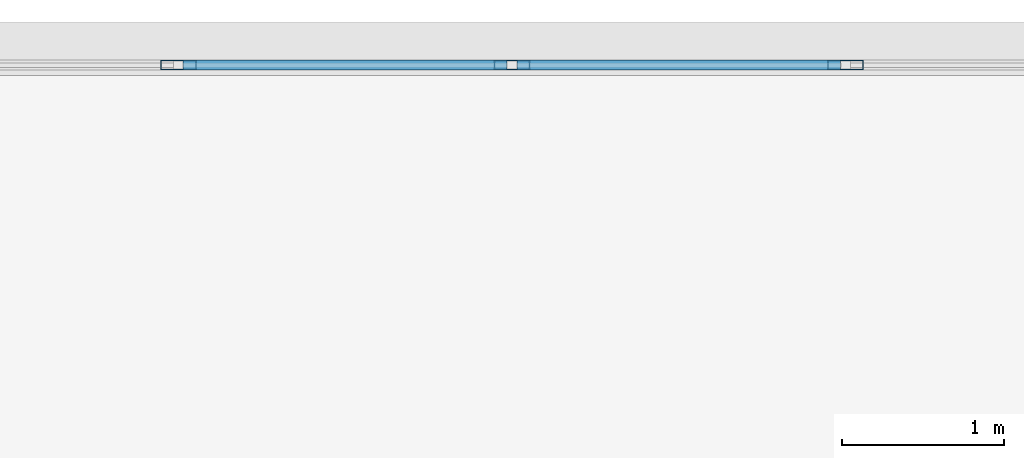
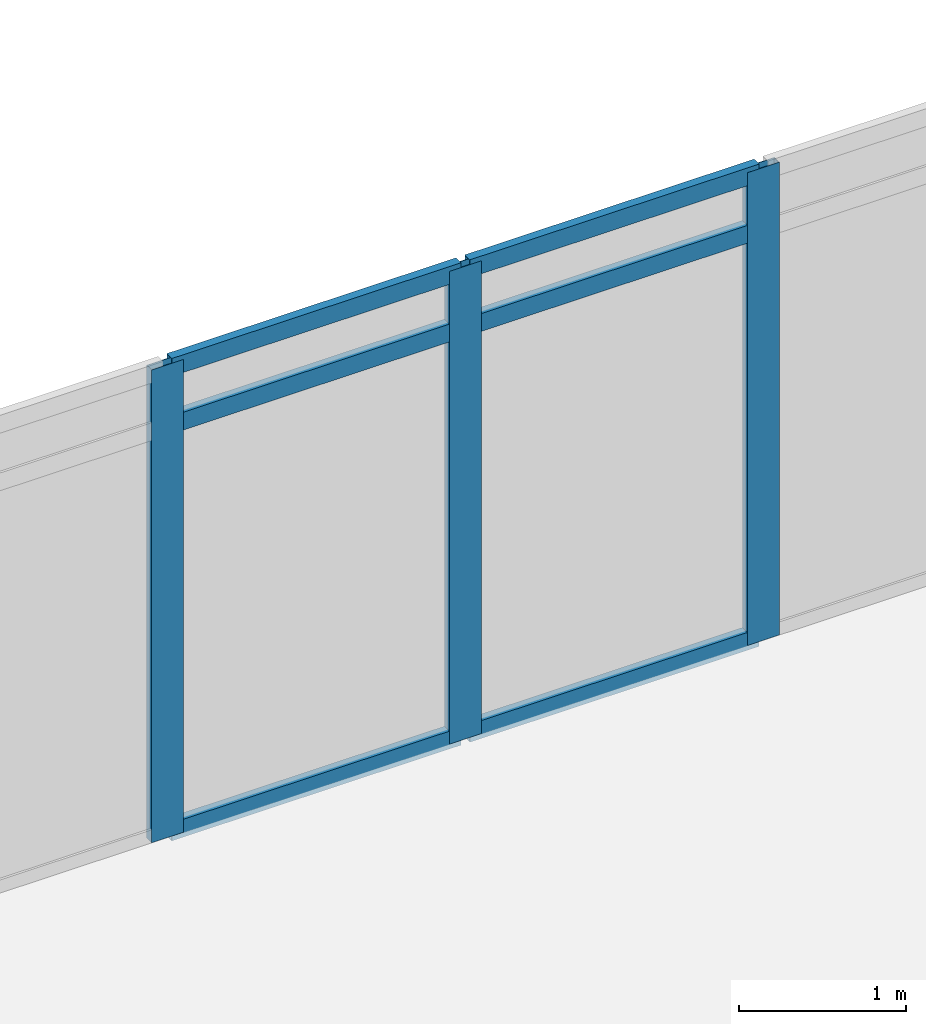
# One storey, part 18 of 36: 9 members, 1 element without a shape of its own.
"""IFC4 building model written with IfcOpenShell, lengths in metres."""

import ifcopenshell
import ifcopenshell.guid

model = None  # the IFC model being written
_history = None  # IfcOwnerHistory: only IFC2X3 demands one
_inside = {}  # id of a spatial element -> (the spatial element, [elements in it])
_under = {}  # id of a project, library or spatial element -> (it, [spatial elements below it])
_declared = {}  # id of a project -> (the project, [libraries it declares])
_typed = {}  # id of a type object -> (the type object, [elements of that type])
_made_of = {}  # id of a material, layer set ... -> (it, [elements and type objects made of it])


def new_model(schema):
    """Start an empty IFC model of exactly this schema.

    Asked for "IFC4X3", IfcOpenShell would pick the latest addendum, in which some entities
    have other attributes; the version numbers below select the first issue.
    IFC2X3 requires an IfcOwnerHistory on every rooted entity: one is made here for all.
    """
    global model, _history
    if schema == "IFC4X3":
        model = ifcopenshell.file(schema_version=(4, 3, 0, 0))
    else:
        model = ifcopenshell.file(schema=schema)
    _inside.clear()
    _under.clear()
    _declared.clear()
    _typed.clear()
    _made_of.clear()
    _history = None
    if model.schema == "IFC2X3":
        org = make("IfcOrganization", Name="unknown")
        user = make(
            "IfcPersonAndOrganization",
            ThePerson=make("IfcPerson", FamilyName="unknown"),
            TheOrganization=org,
        )
        app = make(
            "IfcApplication",
            ApplicationDeveloper=org,
            Version="unknown",
            ApplicationFullName="unknown",
            ApplicationIdentifier="unknown",
        )
        _history = make(
            "IfcOwnerHistory",
            OwningUser=user,
            OwningApplication=app,
            ChangeAction="ADDED",
            CreationDate=0,
        )
    return model


def make(cls, **values):
    """One entity of the class cls with the attributes given. An attribute that is None is left unset."""
    return model.create_entity(
        cls, **{name: value for name, value in values.items() if value is not None}
    )


def rooted(cls, **values):
    """An entity with a GlobalId (a new one), such as an element, a storey or a relation."""
    return make(cls, GlobalId=ifcopenshell.guid.new(), OwnerHistory=_history, **values)


def si_unit(unit_type, name, prefix=None):
    """IfcSIUnit, for example si_unit("LENGTHUNIT", "METRE", prefix="MILLI")."""
    return make("IfcSIUnit", UnitType=unit_type, Prefix=prefix, Name=name)


def assignment(units):
    """IfcUnitAssignment: the units of a project."""
    return None if units is None else make("IfcUnitAssignment", Units=units)


def point(xyz):
    """IfcCartesianPoint."""
    return None if xyz is None else make("IfcCartesianPoint", Coordinates=xyz)


def direction(xyz):
    """IfcDirection."""
    return None if xyz is None else make("IfcDirection", DirectionRatios=xyz)


def frame(location, z_axis=None, x_axis=None):
    """IfcAxis2Placement3D, a coordinate frame: its origin and axes. An axis left out is left unset."""
    return make(
        "IfcAxis2Placement3D",
        Location=point(location),
        Axis=direction(z_axis),
        RefDirection=direction(x_axis),
    )


def frame_2d(location, x_axis=None):
    """IfcAxis2Placement2D, a coordinate frame in the plane: its origin and x axis."""
    return make(
        "IfcAxis2Placement2D", Location=point(location), RefDirection=direction(x_axis)
    )


def origin():
    """The frame at (0, 0, 0) with its axes left unset."""
    return frame((0.0, 0.0, 0.0))


def origin_2d():
    """The frame at (0, 0) in the plane with its x axis left unset."""
    return frame_2d((0.0, 0.0))


def place(relative_to, where):
    """IfcLocalPlacement: puts the frame where relative to a parent placement (None: the world)."""
    return make(
        "IfcLocalPlacement", PlacementRelTo=relative_to, RelativePlacement=where
    )


def context(
    kind, dimensions, precision=None, world=None, true_north=None, identifier=None
):
    """IfcGeometricRepresentationContext, for example the 3D "Model" context."""
    return make(
        "IfcGeometricRepresentationContext",
        ContextIdentifier=identifier,
        ContextType=kind,
        CoordinateSpaceDimension=dimensions,
        Precision=precision,
        WorldCoordinateSystem=world,
        TrueNorth=true_north,
    )


def subcontext(parent, identifier, kind, view, scale=None):
    """IfcGeometricRepresentationSubContext, for example "Body" below "Model"."""
    return make(
        "IfcGeometricRepresentationSubContext",
        ContextIdentifier=identifier,
        ContextType=kind,
        ParentContext=parent,
        TargetScale=scale,
        TargetView=view,
    )


def project(units=None, contexts=None):
    """IfcProject with its units and contexts."""
    return rooted(
        "IfcProject",
        Name="project",
        RepresentationContexts=contexts,
        UnitsInContext=assignment(units),
    )


def spatial(cls, under=None, at=None, **own):
    """A site, building, storey or space (cls), placed at a placement, below another one or the project."""
    s = rooted(cls, ObjectPlacement=at, **own)
    if under is not None:
        _under.setdefault(under.id(), (under, []))[1].append(s)
    return s


def profile(cls, at=None, kind="AREA", **sizes):
    """A parametric profile (cls). Its sizes go by their IFC names, for example OverallWidth=200.0."""
    return make(cls, ProfileType=kind, Position=at, **sizes)


def hollow_rectangle(**sizes):
    """IfcRectangleHollowProfileDef."""
    return profile("IfcRectangleHollowProfileDef", **sizes)


def extrude(swept, where, along, depth):
    """IfcExtrudedAreaSolid: the profile swept, set in the frame where, extruded along a direction by depth."""
    return make(
        "IfcExtrudedAreaSolid",
        SweptArea=swept,
        Position=where,
        ExtrudedDirection=direction(along),
        Depth=depth,
    )


def shape(context_of_items, identifier, shape_type, items):
    """IfcShapeRepresentation: the items that make up one representation, for example the "Body"."""
    return make(
        "IfcShapeRepresentation",
        ContextOfItems=context_of_items,
        RepresentationIdentifier=identifier,
        RepresentationType=shape_type,
        Items=items,
    )


def material(Name=None, Category=None):
    """IfcMaterial."""
    return make("IfcMaterial", Name=Name, Category=Category)


def material_profile(
    of_material, cross_section, Name=None, Category=None, Priority=None
):
    """IfcMaterialProfile: a cross section and its material."""
    return make(
        "IfcMaterialProfile",
        Name=Name,
        Material=of_material,
        Profile=cross_section,
        Priority=Priority,
        Category=Category,
    )


def profile_set(profiles, Name=None, composite=None):
    """IfcMaterialProfileSet."""
    return make(
        "IfcMaterialProfileSet",
        Name=Name,
        MaterialProfiles=profiles,
        CompositeProfile=composite,
    )


def made_of(thing, what):
    """Note that an element or type object is made of a material, layer set ...; save() writes the relation."""
    if what is not None:
        _made_of.setdefault(what.id(), (what, []))[1].append(thing)
    return thing


def type_object(cls, material=None, **own):
    """A type object (cls), such as IfcWallType, which elements share."""
    return made_of(rooted(cls, **own), material)


def element(
    cls,
    number,
    at=None,
    inside=None,
    cuts=None,
    type_object=None,
    material=None,
    context=None,
    identifier="Body",
    shape_type=None,
    held_by="IfcProductDefinitionShape",
    body=None,
    shapes=None,
    **own,
):
    """One element of the class cls, such as IfcWall. Its Tag is "e" and its number.

    at: its placement. inside: the storey or other place that contains it. cuts: it is an
    opening in that element (IfcRelVoidsElement). A single representation is given by context,
    identifier, shape_type and body (its items); several are given by shapes. held_by: the class
    of the entity that holds the representations. save() writes the other relations.
    """
    e = rooted(cls, Tag="e%d" % number, ObjectPlacement=at, **own)
    if body is not None:
        shapes = [shape(context, identifier, shape_type, body)]
    if shapes is not None:
        e.Representation = make(held_by, Representations=shapes)
    if inside is not None:
        _inside.setdefault(inside.id(), (inside, []))[1].append(e)
    if cuts is not None:
        rooted(
            "IfcRelVoidsElement", RelatingBuildingElement=cuts, RelatedOpeningElement=e
        )
    if type_object is not None:
        _typed.setdefault(type_object.id(), (type_object, []))[1].append(e)
    return made_of(e, material)


def aggregate(whole, parts):
    """IfcRelAggregates: a whole, such as a stair, and the parts it consists of."""
    return rooted("IfcRelAggregates", RelatingObject=whole, RelatedObjects=parts)


def save(model, path):
    """Write the relations noted so far, then the file.

    IfcRelAggregates (storeys below a building ...), IfcRelContainedInSpatialStructure (elements
    in a storey), IfcRelDefinesByType, IfcRelAssociatesMaterial and IfcRelDeclares: one each for
    every whole, place, type object, material and project.
    """
    for whole, parts in _under.values():
        aggregate(whole, parts)
    for where, things in _inside.values():
        rooted(
            "IfcRelContainedInSpatialStructure",
            RelatedElements=things,
            RelatingStructure=where,
        )
    for kind, things in _typed.values():
        rooted("IfcRelDefinesByType", RelatedObjects=things, RelatingType=kind)
    for what, things in _made_of.values():
        rooted("IfcRelAssociatesMaterial", RelatedObjects=things, RelatingMaterial=what)
    for by, libraries in _declared.values():
        rooted("IfcRelDeclares", RelatingContext=by, RelatedDefinitions=libraries)
    model.write(path)


model = new_model("IFC4")

# Units and contexts
model_context = context("Model", 3, precision=1e-05, world=origin(), true_north=direction((0.0, 1.0)))
body_context = subcontext(model_context, "Body", "Model", "MODEL_VIEW")
ifc_project = project(units=[si_unit("LENGTHUNIT", "METRE"), si_unit("AREAUNIT", "SQUARE_METRE"), si_unit("VOLUMEUNIT", "CUBIC_METRE"), si_unit("PLANEANGLEUNIT", "RADIAN"), si_unit("MASSUNIT", "GRAM", prefix="KILO")], contexts=[model_context])

# Site, building, storey
site_placement = place(None, origin())
site = spatial("IfcSite", under=ifc_project, at=site_placement, CompositionType="ELEMENT")
building_placement = place(site_placement, origin())
building = spatial("IfcBuilding", under=site, at=building_placement, Name="Ostrander Bayou Hotel Tower", CompositionType="ELEMENT")
storey_placement = place(building_placement, frame((0.0, 0.0, 138.5)))
storey = spatial("IfcBuildingStorey", under=building, at=storey_placement, Name="L34", CompositionType="ELEMENT", Elevation=138.5)

# Curtain wall, members
ifc_material_1 = material(Name="Aluminium and clear glass", Category="aluminium")
curtain_wall_type = type_object("IfcCurtainWallType", Name="CW-BAR glazed wall", PredefinedType="NOTDEFINED", material=ifc_material_1)
curtain_wall_placement = place(storey_placement, origin())
curtain_wall = element("IfcCurtainWall", 1, at=curtain_wall_placement, inside=storey, type_object=curtain_wall_type, Name="CW-BAR L34:SB3N:T", PredefinedType="NOTDEFINED")
ifc_material_2 = material(Name="Aluminium", Category="aluminium")
ifc_material_profile_1 = material_profile(ifc_material_2, hollow_rectangle(XDim=0.06005859375, YDim=0.219970703125, WallThickness=0.00390625, at=origin_2d()))
ifc_profile_set_1 = profile_set([ifc_material_profile_1], Name="Aluminium")
member_type_1 = type_object("IfcMemberType", Name="CW-BR mullion 60 x 220 mm", PredefinedType="MULLION", material=ifc_profile_set_1)
member_1_placement = place(storey_placement, frame((-5.14111328125, 29.037109375, 0.0), z_axis=(0.0, 0.0, 1.0), x_axis=(0.0, 1.0, 0.0)))
member_1 = element("IfcMember", 2, at=member_1_placement, type_object=member_type_1, Name="CW-BAR mullion 5", PredefinedType="MULLION", context=body_context, shape_type="SweptSolid", body=[
    extrude(hollow_rectangle(XDim=0.06005859375, YDim=0.219970703125, WallThickness=0.00390625, at=origin_2d()), origin(), (0.0, 0.0, 1.0), 3.449951171875),
])
member_2_placement = place(storey_placement, frame((-3.084716796875, 29.037109375, 0.0), z_axis=(0.0, 0.0, 1.0), x_axis=(0.0, 1.0, 0.0)))
member_2 = element("IfcMember", 3, at=member_2_placement, type_object=member_type_1, Name="CW-BAR mullion 6", PredefinedType="MULLION", context=body_context, shape_type="SweptSolid", body=[
    extrude(hollow_rectangle(XDim=0.06005859375, YDim=0.219970703125, WallThickness=0.00390625, at=origin_2d()), origin(), (0.0, 0.0, 1.0), 3.449951171875),
])
member_3_placement = place(storey_placement, frame((-1.0283203125, 29.037109375, 0.0), z_axis=(0.0, 0.0, 1.0), x_axis=(0.0, 1.0, 0.0)))
member_3 = element("IfcMember", 4, at=member_3_placement, type_object=member_type_1, Name="CW-BAR mullion 7", PredefinedType="MULLION", context=body_context, shape_type="SweptSolid", body=[
    extrude(hollow_rectangle(XDim=0.06005859375, YDim=0.219970703125, WallThickness=0.00390625, at=origin_2d()), origin(), (0.0, 0.0, 1.0), 3.449951171875),
])
ifc_material_3 = material(Name="Aluminium", Category="aluminium")
ifc_material_profile_2 = material_profile(ifc_material_3, hollow_rectangle(XDim=0.06005859375, YDim=0.1298828125, WallThickness=0.00390625, at=origin_2d()))
ifc_profile_set_2 = profile_set([ifc_material_profile_2], Name="Aluminium")
member_type_2 = type_object("IfcMemberType", Name="CW-BR transom 60 x 130 mm", PredefinedType="USERDEFINED", material=ifc_profile_set_2)
member_4_placement = place(storey_placement, frame((-5.111328125, 29.037109375, 0.030029296875), z_axis=(1.0, 0.0, 0.0), x_axis=(0.0, 1.0, 0.0)))
member_4 = element("IfcMember", 5, at=member_4_placement, type_object=member_type_2, Name="CW-BAR transom 5.1", ObjectType="TRANSOM", PredefinedType="USERDEFINED", context=body_context, shape_type="SweptSolid", body=[
    extrude(hollow_rectangle(XDim=0.06005859375, YDim=0.1298828125, WallThickness=0.00390625, at=origin_2d()), origin(), (0.0, 0.0, 1.0), 1.99658203125),
])
member_5_placement = place(storey_placement, frame((-5.111328125, 29.037109375, 3.0), z_axis=(1.0, 0.0, 0.0), x_axis=(0.0, 1.0, 0.0)))
member_5 = element("IfcMember", 6, at=member_5_placement, type_object=member_type_2, Name="CW-BAR transom 5.2", ObjectType="TRANSOM", PredefinedType="USERDEFINED", context=body_context, shape_type="SweptSolid", body=[
    extrude(hollow_rectangle(XDim=0.06005859375, YDim=0.1298828125, WallThickness=0.00390625, at=origin_2d()), origin(), (0.0, 0.0, 1.0), 1.99658203125),
])
member_6_placement = place(storey_placement, frame((-5.111328125, 29.037109375, 3.419921875), z_axis=(1.0, 0.0, 0.0), x_axis=(0.0, 1.0, 0.0)))
member_6 = element("IfcMember", 7, at=member_6_placement, type_object=member_type_2, Name="CW-BAR transom 5.3", ObjectType="TRANSOM", PredefinedType="USERDEFINED", context=body_context, shape_type="SweptSolid", body=[
    extrude(hollow_rectangle(XDim=0.06005859375, YDim=0.1298828125, WallThickness=0.00390625, at=origin_2d()), origin(), (0.0, 0.0, 1.0), 1.99658203125),
])
member_7_placement = place(storey_placement, frame((-3.0546875, 29.037109375, 0.030029296875), z_axis=(1.0, 0.0, 0.0), x_axis=(0.0, 1.0, 0.0)))
member_7 = element("IfcMember", 8, at=member_7_placement, type_object=member_type_2, Name="CW-BAR transom 6.1", ObjectType="TRANSOM", PredefinedType="USERDEFINED", context=body_context, shape_type="SweptSolid", body=[
    extrude(hollow_rectangle(XDim=0.06005859375, YDim=0.1298828125, WallThickness=0.00390625, at=origin_2d()), origin(), (0.0, 0.0, 1.0), 1.996337890625),
])
member_8_placement = place(storey_placement, frame((-3.0546875, 29.037109375, 3.0), z_axis=(1.0, 0.0, 0.0), x_axis=(0.0, 1.0, 0.0)))
member_8 = element("IfcMember", 9, at=member_8_placement, type_object=member_type_2, Name="CW-BAR transom 6.2", ObjectType="TRANSOM", PredefinedType="USERDEFINED", context=body_context, shape_type="SweptSolid", body=[
    extrude(hollow_rectangle(XDim=0.06005859375, YDim=0.1298828125, WallThickness=0.00390625, at=origin_2d()), origin(), (0.0, 0.0, 1.0), 1.996337890625),
])
member_9_placement = place(storey_placement, frame((-3.0546875, 29.037109375, 3.419921875), z_axis=(1.0, 0.0, 0.0), x_axis=(0.0, 1.0, 0.0)))
member_9 = element("IfcMember", 10, at=member_9_placement, type_object=member_type_2, Name="CW-BAR transom 6.3", ObjectType="TRANSOM", PredefinedType="USERDEFINED", context=body_context, shape_type="SweptSolid", body=[
    extrude(hollow_rectangle(XDim=0.06005859375, YDim=0.1298828125, WallThickness=0.00390625, at=origin_2d()), origin(), (0.0, 0.0, 1.0), 1.996337890625),
])
aggregate(curtain_wall, [member_1, member_2, member_3, member_4, member_5, member_6, member_7, member_8, member_9])

save(model, "model.ifc")
